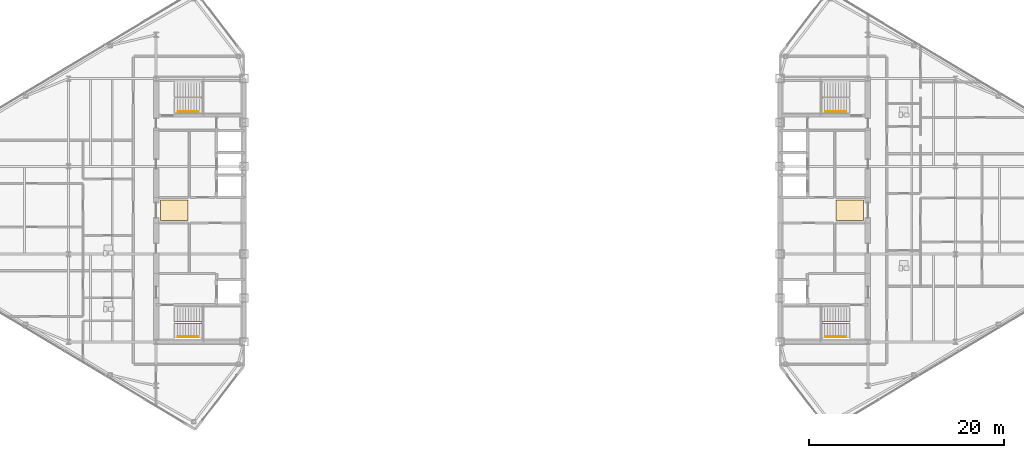
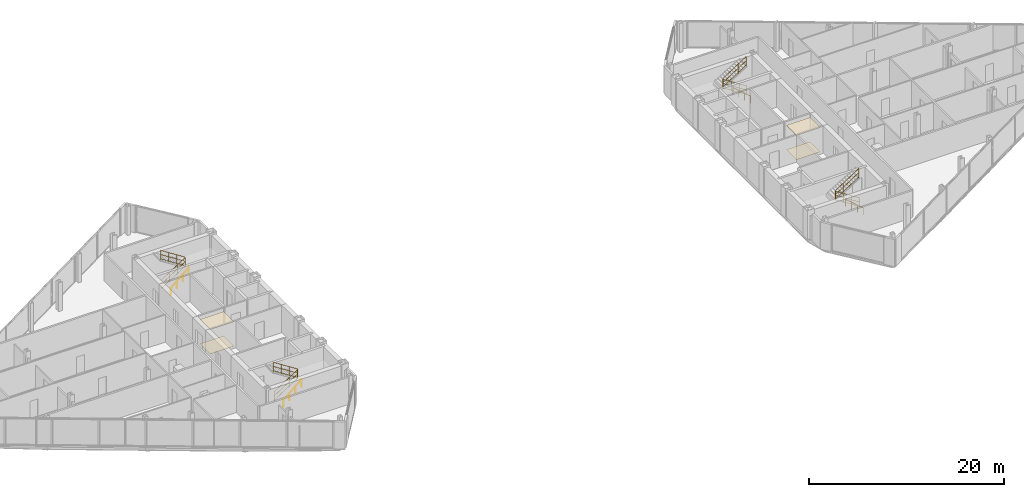
# One storey, part 25 of 26: 8 railings, 4 coverings.
"""IFC4 building model written with IfcOpenShell, lengths in metres."""

import ifcopenshell
import ifcopenshell.guid

model = None  # the IFC model being written
_history = None  # IfcOwnerHistory: only IFC2X3 demands one
_inside = {}  # id of a spatial element -> (the spatial element, [elements in it])
_under = {}  # id of a project, library or spatial element -> (it, [spatial elements below it])
_declared = {}  # id of a project -> (the project, [libraries it declares])
_typed = {}  # id of a type object -> (the type object, [elements of that type])
_made_of = {}  # id of a material, layer set ... -> (it, [elements and type objects made of it])


def new_model(schema):
    """Start an empty IFC model of exactly this schema.

    Asked for "IFC4X3", IfcOpenShell would pick the latest addendum, in which some entities
    have other attributes; the version numbers below select the first issue.
    IFC2X3 requires an IfcOwnerHistory on every rooted entity: one is made here for all.
    """
    global model, _history
    if schema == "IFC4X3":
        model = ifcopenshell.file(schema_version=(4, 3, 0, 0))
    else:
        model = ifcopenshell.file(schema=schema)
    _inside.clear()
    _under.clear()
    _declared.clear()
    _typed.clear()
    _made_of.clear()
    _history = None
    if model.schema == "IFC2X3":
        org = make("IfcOrganization", Name="unknown")
        user = make(
            "IfcPersonAndOrganization",
            ThePerson=make("IfcPerson", FamilyName="unknown"),
            TheOrganization=org,
        )
        app = make(
            "IfcApplication",
            ApplicationDeveloper=org,
            Version="unknown",
            ApplicationFullName="unknown",
            ApplicationIdentifier="unknown",
        )
        _history = make(
            "IfcOwnerHistory",
            OwningUser=user,
            OwningApplication=app,
            ChangeAction="ADDED",
            CreationDate=0,
        )
    return model


def make(cls, **values):
    """One entity of the class cls with the attributes given. An attribute that is None is left unset."""
    return model.create_entity(
        cls, **{name: value for name, value in values.items() if value is not None}
    )


def rooted(cls, **values):
    """An entity with a GlobalId (a new one), such as an element, a storey or a relation."""
    return make(cls, GlobalId=ifcopenshell.guid.new(), OwnerHistory=_history, **values)


def si_unit(unit_type, name, prefix=None):
    """IfcSIUnit, for example si_unit("LENGTHUNIT", "METRE", prefix="MILLI")."""
    return make("IfcSIUnit", UnitType=unit_type, Prefix=prefix, Name=name)


def assignment(units):
    """IfcUnitAssignment: the units of a project."""
    return None if units is None else make("IfcUnitAssignment", Units=units)


def point(xyz):
    """IfcCartesianPoint."""
    return None if xyz is None else make("IfcCartesianPoint", Coordinates=xyz)


def direction(xyz):
    """IfcDirection."""
    return None if xyz is None else make("IfcDirection", DirectionRatios=xyz)


def frame(location, z_axis=None, x_axis=None):
    """IfcAxis2Placement3D, a coordinate frame: its origin and axes. An axis left out is left unset."""
    return make(
        "IfcAxis2Placement3D",
        Location=point(location),
        Axis=direction(z_axis),
        RefDirection=direction(x_axis),
    )


def frame_2d(location, x_axis=None):
    """IfcAxis2Placement2D, a coordinate frame in the plane: its origin and x axis."""
    return make(
        "IfcAxis2Placement2D", Location=point(location), RefDirection=direction(x_axis)
    )


def origin():
    """The frame at (0, 0, 0) with its axes left unset."""
    return frame((0.0, 0.0, 0.0))


def origin_2d():
    """The frame at (0, 0) in the plane with its x axis left unset."""
    return frame_2d((0.0, 0.0))


def place(relative_to, where):
    """IfcLocalPlacement: puts the frame where relative to a parent placement (None: the world)."""
    return make(
        "IfcLocalPlacement", PlacementRelTo=relative_to, RelativePlacement=where
    )


def context(
    kind, dimensions, precision=None, world=None, true_north=None, identifier=None
):
    """IfcGeometricRepresentationContext, for example the 3D "Model" context."""
    return make(
        "IfcGeometricRepresentationContext",
        ContextIdentifier=identifier,
        ContextType=kind,
        CoordinateSpaceDimension=dimensions,
        Precision=precision,
        WorldCoordinateSystem=world,
        TrueNorth=true_north,
    )


def subcontext(parent, identifier, kind, view, scale=None):
    """IfcGeometricRepresentationSubContext, for example "Body" below "Model"."""
    return make(
        "IfcGeometricRepresentationSubContext",
        ContextIdentifier=identifier,
        ContextType=kind,
        ParentContext=parent,
        TargetScale=scale,
        TargetView=view,
    )


def project(units=None, contexts=None):
    """IfcProject with its units and contexts."""
    return rooted(
        "IfcProject",
        Name="project",
        RepresentationContexts=contexts,
        UnitsInContext=assignment(units),
    )


def spatial(cls, under=None, at=None, **own):
    """A site, building, storey or space (cls), placed at a placement, below another one or the project."""
    s = rooted(cls, ObjectPlacement=at, **own)
    if under is not None:
        _under.setdefault(under.id(), (under, []))[1].append(s)
    return s


def polyline(points):
    """IfcPolyline through the points."""
    return make("IfcPolyline", Points=[point(p) for p in points])


def profile(cls, at=None, kind="AREA", **sizes):
    """A parametric profile (cls). Its sizes go by their IFC names, for example OverallWidth=200.0."""
    return make(cls, ProfileType=kind, Position=at, **sizes)


def circle(**sizes):
    """IfcCircleProfileDef."""
    return profile("IfcCircleProfileDef", **sizes)


def outline(outer, holes=None, kind="AREA"):
    """IfcArbitraryClosedProfileDef: a profile drawn as a closed curve; with holes, ...WithVoids."""
    if holes is None:
        return make("IfcArbitraryClosedProfileDef", ProfileType=kind, OuterCurve=outer)
    return make(
        "IfcArbitraryProfileDefWithVoids",
        ProfileType=kind,
        OuterCurve=outer,
        InnerCurves=holes,
    )


def extrude(swept, where, along, depth):
    """IfcExtrudedAreaSolid: the profile swept, set in the frame where, extruded along a direction by depth."""
    return make(
        "IfcExtrudedAreaSolid",
        SweptArea=swept,
        Position=where,
        ExtrudedDirection=direction(along),
        Depth=depth,
    )


def shape(context_of_items, identifier, shape_type, items):
    """IfcShapeRepresentation: the items that make up one representation, for example the "Body"."""
    return make(
        "IfcShapeRepresentation",
        ContextOfItems=context_of_items,
        RepresentationIdentifier=identifier,
        RepresentationType=shape_type,
        Items=items,
    )


def material(Name=None, Category=None):
    """IfcMaterial."""
    return make("IfcMaterial", Name=Name, Category=Category)


def layer(
    of_material, thickness, ventilated=None, Name=None, Category=None, Priority=None
):
    """IfcMaterialLayer: one layer of a wall or slab, of a material (None: an air gap)."""
    return make(
        "IfcMaterialLayer",
        Material=of_material,
        LayerThickness=thickness,
        IsVentilated=ventilated,
        Name=Name,
        Category=Category,
        Priority=Priority,
    )


def layer_set(layers, Name=None):
    """IfcMaterialLayerSet."""
    return make("IfcMaterialLayerSet", MaterialLayers=layers, LayerSetName=Name)


def made_of(thing, what):
    """Note that an element or type object is made of a material, layer set ...; save() writes the relation."""
    if what is not None:
        _made_of.setdefault(what.id(), (what, []))[1].append(thing)
    return thing


def type_object(cls, material=None, **own):
    """A type object (cls), such as IfcWallType, which elements share."""
    return made_of(rooted(cls, **own), material)


def element(
    cls,
    number,
    at=None,
    inside=None,
    cuts=None,
    type_object=None,
    material=None,
    context=None,
    identifier="Body",
    shape_type=None,
    held_by="IfcProductDefinitionShape",
    body=None,
    shapes=None,
    **own,
):
    """One element of the class cls, such as IfcWall. Its Tag is "e" and its number.

    at: its placement. inside: the storey or other place that contains it. cuts: it is an
    opening in that element (IfcRelVoidsElement). A single representation is given by context,
    identifier, shape_type and body (its items); several are given by shapes. held_by: the class
    of the entity that holds the representations. save() writes the other relations.
    """
    e = rooted(cls, Tag="e%d" % number, ObjectPlacement=at, **own)
    if body is not None:
        shapes = [shape(context, identifier, shape_type, body)]
    if shapes is not None:
        e.Representation = make(held_by, Representations=shapes)
    if inside is not None:
        _inside.setdefault(inside.id(), (inside, []))[1].append(e)
    if cuts is not None:
        rooted(
            "IfcRelVoidsElement", RelatingBuildingElement=cuts, RelatedOpeningElement=e
        )
    if type_object is not None:
        _typed.setdefault(type_object.id(), (type_object, []))[1].append(e)
    return made_of(e, material)


def aggregate(whole, parts):
    """IfcRelAggregates: a whole, such as a stair, and the parts it consists of."""
    return rooted("IfcRelAggregates", RelatingObject=whole, RelatedObjects=parts)


def save(model, path):
    """Write the relations noted so far, then the file.

    IfcRelAggregates (storeys below a building ...), IfcRelContainedInSpatialStructure (elements
    in a storey), IfcRelDefinesByType, IfcRelAssociatesMaterial and IfcRelDeclares: one each for
    every whole, place, type object, material and project.
    """
    for whole, parts in _under.values():
        aggregate(whole, parts)
    for where, things in _inside.values():
        rooted(
            "IfcRelContainedInSpatialStructure",
            RelatedElements=things,
            RelatingStructure=where,
        )
    for kind, things in _typed.values():
        rooted("IfcRelDefinesByType", RelatedObjects=things, RelatingType=kind)
    for what, things in _made_of.values():
        rooted("IfcRelAssociatesMaterial", RelatedObjects=things, RelatingMaterial=what)
    for by, libraries in _declared.values():
        rooted("IfcRelDeclares", RelatingContext=by, RelatedDefinitions=libraries)
    model.write(path)


model = new_model("IFC4")

# Units and contexts
model_context = context("Model", 3, precision=1e-05, world=origin(), true_north=direction((0.0, 1.0)))
body_context = subcontext(model_context, "Body", "Model", "MODEL_VIEW")
ifc_project = project(units=[si_unit("LENGTHUNIT", "METRE"), si_unit("AREAUNIT", "SQUARE_METRE"), si_unit("VOLUMEUNIT", "CUBIC_METRE"), si_unit("PLANEANGLEUNIT", "RADIAN"), si_unit("MASSUNIT", "GRAM", prefix="KILO")], contexts=[model_context])

# Site, building, storey
site_placement = place(None, origin())
site = spatial("IfcSite", under=ifc_project, at=site_placement, CompositionType="ELEMENT")
building_placement = place(site_placement, origin())
building = spatial("IfcBuilding", under=site, at=building_placement, Name="Seokmaru Belvedere", CompositionType="ELEMENT")
storey_placement = place(building_placement, frame((0.0, 0.0, 199.5)))
storey = spatial("IfcBuildingStorey", under=building, at=storey_placement, Name="L53", CompositionType="ELEMENT", Elevation=199.5)

# Coverings
ifc_material_1 = material(Name="Engineered White Oak Timber", Category="wood")
ifc_layer_1 = layer(ifc_material_1, 0.02197265625)
ifc_layer_set_1 = layer_set([ifc_layer_1], Name="Engineered White Oak Timber")
covering_type_1 = type_object("IfcCoveringType", Name="Engineered Oak Residence Floor Finish 22", PredefinedType="FLOORING", material=ifc_layer_set_1)
covering_1_placement = place(storey_placement, origin())
element("IfcCovering", 1, at=covering_1_placement, inside=storey, type_object=covering_type_1, Name="L53 W Foyer Floor Finish", PredefinedType="FLOORING", context=body_context, shape_type="SweptSolid", body=[
    extrude(outline(polyline([(-36.050048828125, -1.050048828125), (-33.25, -1.050048828125), (-33.25, 1.050048828125), (-36.050048828125, 1.050048828125), (-36.050048828125, -1.050048828125)])), origin(), (0.0, 0.0, 1.0), 0.02197265625),
])
covering_2_placement = place(storey_placement, origin())
element("IfcCovering", 2, at=covering_2_placement, inside=storey, type_object=covering_type_1, Name="L53 E Foyer Floor Finish", PredefinedType="FLOORING", context=body_context, shape_type="SweptSolid", body=[
    extrude(outline(polyline([(33.25, -1.050048828125), (36.050048828125, -1.050048828125), (36.050048828125, 1.050048828125), (33.25, 1.050048828125), (33.25, -1.050048828125)])), origin(), (0.0, 0.0, 1.0), 0.02197265625),
])
ifc_material_2 = material(Name="Fire-Rated Gypsum Shaftwall")
ifc_layer_2 = layer(ifc_material_2, 0.02490234375)
ifc_layer_set_2 = layer_set([ifc_layer_2], Name="Fire-Rated Gypsum Shaftwall")
covering_type_2 = type_object("IfcCoveringType", Name="Perforated Acoustic Gypsum Suspended Ceiling 25", PredefinedType="CEILING", material=ifc_layer_set_2)
covering_3_placement = place(storey_placement, frame((0.0, 0.0, 3.030029296875)))
element("IfcCovering", 3, at=covering_3_placement, inside=storey, type_object=covering_type_2, Name="L53 W Lift Foyer Acoustic Ceiling", PredefinedType="CEILING", context=body_context, shape_type="SweptSolid", body=[
    extrude(outline(polyline([(-36.050048828125, -1.050048828125), (-33.25, -1.050048828125), (-33.25, 1.050048828125), (-36.050048828125, 1.050048828125), (-36.050048828125, -1.050048828125)])), origin(), (0.0, 0.0, 1.0), 0.02490234375),
])
covering_4_placement = place(storey_placement, frame((0.0, 0.0, 3.030029296875)))
element("IfcCovering", 4, at=covering_4_placement, inside=storey, type_object=covering_type_2, Name="L53 E Lift Foyer Acoustic Ceiling", PredefinedType="CEILING", context=body_context, shape_type="SweptSolid", body=[
    extrude(outline(polyline([(33.25, -1.050048828125), (36.050048828125, -1.050048828125), (36.050048828125, 1.050048828125), (33.25, 1.050048828125), (33.25, -1.050048828125)])), origin(), (0.0, 0.0, 1.0), 0.02490234375),
])

# Railings
ifc_material_3 = material(Name="Stainless Steel 316", Category="steel")
railing_type_1 = type_object("IfcRailingType", Name="Stainless Steel Wall and Flight Handrail 900", PredefinedType="HANDRAIL", material=ifc_material_3)
for number, where, name in (
    (5, (-34.25, -12.949951171875, 0.0), "L53 Stair ST-W1 Wall Handrail"),
    (6, (-34.25, 10.110107421875, 0.0), "L53 Stair ST-W2 Wall Handrail"),
):
    element("IfcRailing", number, at=place(storey_placement, frame(where)), inside=storey, type_object=railing_type_1, Name=name, PredefinedType="HANDRAIL", context=body_context, shape_type="SweptSolid", body=[
        extrude(circle(Radius=0.02392578125, at=origin_2d()), frame((0.0, 0.0, 0.8759765625), z_axis=(0.759262832861, 0.0, 0.650784104474), x_axis=(0.0, 1.0, 0.0)), (0.0, 0.0, 1.0), 2.765869140625),
        extrude(circle(Radius=0.02099609375, at=origin_2d()), origin(), (0.0, 0.0, 1.0), 0.851806640625),
        extrude(circle(Radius=0.02099609375, at=origin_2d()), frame((0.699951171875, 0.0, 0.60009765625)), (0.0, 0.0, 1.0), 0.851806640625),
        extrude(circle(Radius=0.02099609375, at=origin_2d()), frame((1.400146484375, 0.0, 1.199951171875)), (0.0, 0.0, 1.0), 0.851806640625),
        extrude(circle(Radius=0.02099609375, at=origin_2d()), frame((2.10009765625, 0.0, 1.800048828125)), (0.0, 0.0, 1.0), 0.851806640625),
    ])
for number, where, name in (
    (7, (34.25, -12.949951171875, 0.0), "L53 Stair ST-E1 Wall Handrail"),
    (8, (34.25, 10.110107421875, 0.0), "L53 Stair ST-E2 Wall Handrail"),
):
    element("IfcRailing", number, at=place(storey_placement, frame(where)), inside=storey, type_object=railing_type_1, Name=name, PredefinedType="HANDRAIL", context=body_context, shape_type="SweptSolid", body=[
        extrude(circle(Radius=0.02392578125, at=origin_2d()), frame((0.0, 0.0, 0.8759765625), z_axis=(-0.759262832861, 0.0, 0.650784104474), x_axis=(0.0, -1.0, 0.0)), (0.0, 0.0, 1.0), 2.765869140625),
        extrude(circle(Radius=0.02099609375, at=origin_2d()), origin(), (0.0, 0.0, 1.0), 0.851806640625),
        extrude(circle(Radius=0.02099609375, at=origin_2d()), frame((-0.699951171875, 0.0, 0.60009765625)), (0.0, 0.0, 1.0), 0.851806640625),
        extrude(circle(Radius=0.02099609375, at=origin_2d()), frame((-1.400146484375, 0.0, 1.199951171875)), (0.0, 0.0, 1.0), 0.851806640625),
        extrude(circle(Radius=0.02099609375, at=origin_2d()), frame((-2.10009765625, 0.0, 1.800048828125)), (0.0, 0.0, 1.0), 0.851806640625),
    ])
railing_type_2 = type_object("IfcRailingType", Name="Stair Well and Atrium Steel Guardrail 1200", PredefinedType="GUARDRAIL", material=ifc_material_3)
railing_1_placement = place(storey_placement, frame((-34.60009765625, -11.60009765625, 0.0)))
element("IfcRailing", 9, at=railing_1_placement, inside=storey, type_object=railing_type_2, Name="L53 Stair ST-W1 Inner Well Guardrail", PredefinedType="GUARDRAIL", context=body_context, shape_type="SweptSolid", body=[
    extrude(circle(Radius=0.02392578125, at=origin_2d()), frame((0.0, 0.0, 1.17578125), z_axis=(0.841176092368, 0.0, 0.540761298198), x_axis=(0.0, 1.0, 0.0)), (0.0, 0.0, 1.0), 3.32861328125),
    extrude(circle(Radius=0.02392578125, at=origin_2d()), frame((0.0, 0.0, 0.1201171875), z_axis=(0.841176092368, 0.0, 0.540761298198), x_axis=(0.0, 1.0, 0.0)), (0.0, 0.0, 1.0), 3.32861328125),
    extrude(circle(Radius=0.02392578125, at=origin_2d()), frame((0.0, 0.0, 0.659912109375), z_axis=(0.841176092368, 0.0, 0.540761298198), x_axis=(0.0, 1.0, 0.0)), (0.0, 0.0, 1.0), 3.32861328125),
    extrude(circle(Radius=0.02392578125, at=origin_2d()), frame((2.800048828125, 0.0, 2.97607421875), z_axis=(0.0, 1.0, 0.0), x_axis=(-1.0, 0.0, 0.0)), (0.0, 0.0, 1.0), 0.14013671875),
    extrude(circle(Radius=0.02392578125, at=origin_2d()), frame((2.800048828125, 0.0, 1.920166015625), z_axis=(0.0, 1.0, 0.0), x_axis=(-1.0, 0.0, 0.0)), (0.0, 0.0, 1.0), 0.14013671875),
    extrude(circle(Radius=0.02392578125, at=origin_2d()), frame((2.800048828125, 0.0, 2.4599609375), z_axis=(0.0, 1.0, 0.0), x_axis=(-1.0, 0.0, 0.0)), (0.0, 0.0, 1.0), 0.14013671875),
    extrude(circle(Radius=0.02392578125, at=origin_2d()), frame((2.800048828125, 0.14013671875, 2.97607421875), z_axis=(-0.841176092368, 0.0, 0.540761298198), x_axis=(0.0, -1.0, 0.0)), (0.0, 0.0, 1.0), 3.32861328125),
    extrude(circle(Radius=0.02392578125, at=origin_2d()), frame((2.800048828125, 0.14013671875, 1.920166015625), z_axis=(-0.841176092368, 0.0, 0.540761298198), x_axis=(0.0, -1.0, 0.0)), (0.0, 0.0, 1.0), 3.32861328125),
    extrude(circle(Radius=0.02392578125, at=origin_2d()), frame((2.800048828125, 0.14013671875, 2.4599609375), z_axis=(-0.841176092368, 0.0, 0.540761298198), x_axis=(0.0, -1.0, 0.0)), (0.0, 0.0, 1.0), 3.32861328125),
    extrude(circle(Radius=0.02099609375, at=origin_2d()), origin(), (0.0, 0.0, 1.0), 1.15185546875),
    extrude(circle(Radius=0.02099609375, at=origin_2d()), frame((0.933349609375, 0.0, 0.60009765625)), (0.0, 0.0, 1.0), 1.15185546875),
    extrude(circle(Radius=0.02099609375, at=origin_2d()), frame((1.86669921875, 0.0, 1.199951171875)), (0.0, 0.0, 1.0), 1.15185546875),
    extrude(circle(Radius=0.02099609375, at=origin_2d()), frame((2.800048828125, 0.0, 1.800048828125)), (0.0, 0.0, 1.0), 1.15185546875),
    extrude(circle(Radius=0.02099609375, at=origin_2d()), frame((2.800048828125, 0.14013671875, 1.800048828125)), (0.0, 0.0, 1.0), 1.15185546875),
    extrude(circle(Radius=0.02099609375, at=origin_2d()), frame((1.86669921875, 0.14013671875, 2.400146484375)), (0.0, 0.0, 1.0), 1.15185546875),
    extrude(circle(Radius=0.02099609375, at=origin_2d()), frame((0.933349609375, 0.14013671875, 3.0)), (0.0, 0.0, 1.0), 1.15185546875),
    extrude(circle(Radius=0.02099609375, at=origin_2d()), frame((0.0, 0.14013671875, 3.60009765625)), (0.0, 0.0, 1.0), 1.15185546875),
])
railing_2_placement = place(storey_placement, frame((-34.60009765625, 11.4599609375, 0.0)))
element("IfcRailing", 10, at=railing_2_placement, inside=storey, type_object=railing_type_2, Name="L53 Stair ST-W2 Inner Well Guardrail", PredefinedType="GUARDRAIL", context=body_context, shape_type="SweptSolid", body=[
    extrude(circle(Radius=0.02392578125, at=origin_2d()), frame((0.0, 0.0, 1.17578125), z_axis=(0.841176092368, 0.0, 0.540761298198), x_axis=(0.0, 1.0, 0.0)), (0.0, 0.0, 1.0), 3.32861328125),
    extrude(circle(Radius=0.02392578125, at=origin_2d()), frame((0.0, 0.0, 0.1201171875), z_axis=(0.841176092368, 0.0, 0.540761298198), x_axis=(0.0, 1.0, 0.0)), (0.0, 0.0, 1.0), 3.32861328125),
    extrude(circle(Radius=0.02392578125, at=origin_2d()), frame((0.0, 0.0, 0.659912109375), z_axis=(0.841176092368, 0.0, 0.540761298198), x_axis=(0.0, 1.0, 0.0)), (0.0, 0.0, 1.0), 3.32861328125),
    extrude(circle(Radius=0.02392578125, at=origin_2d()), frame((2.800048828125, 0.0, 2.97607421875), z_axis=(0.0, 1.0, 0.0), x_axis=(-1.0, 0.0, 0.0)), (0.0, 0.0, 1.0), 0.14013671875),
    extrude(circle(Radius=0.02392578125, at=origin_2d()), frame((2.800048828125, 0.0, 1.920166015625), z_axis=(0.0, 1.0, 0.0), x_axis=(-1.0, 0.0, 0.0)), (0.0, 0.0, 1.0), 0.14013671875),
    extrude(circle(Radius=0.02392578125, at=origin_2d()), frame((2.800048828125, 0.0, 2.4599609375), z_axis=(0.0, 1.0, 0.0), x_axis=(-1.0, 0.0, 0.0)), (0.0, 0.0, 1.0), 0.14013671875),
    extrude(circle(Radius=0.02392578125, at=origin_2d()), frame((2.800048828125, 0.14013671875, 2.97607421875), z_axis=(-0.841176092368, 0.0, 0.540761298198), x_axis=(0.0, -1.0, 0.0)), (0.0, 0.0, 1.0), 3.32861328125),
    extrude(circle(Radius=0.02392578125, at=origin_2d()), frame((2.800048828125, 0.14013671875, 1.920166015625), z_axis=(-0.841176092368, 0.0, 0.540761298198), x_axis=(0.0, -1.0, 0.0)), (0.0, 0.0, 1.0), 3.32861328125),
    extrude(circle(Radius=0.02392578125, at=origin_2d()), frame((2.800048828125, 0.14013671875, 2.4599609375), z_axis=(-0.841176092368, 0.0, 0.540761298198), x_axis=(0.0, -1.0, 0.0)), (0.0, 0.0, 1.0), 3.32861328125),
    extrude(circle(Radius=0.02099609375, at=origin_2d()), origin(), (0.0, 0.0, 1.0), 1.15185546875),
    extrude(circle(Radius=0.02099609375, at=origin_2d()), frame((0.933349609375, 0.0, 0.60009765625)), (0.0, 0.0, 1.0), 1.15185546875),
    extrude(circle(Radius=0.02099609375, at=origin_2d()), frame((1.86669921875, 0.0, 1.199951171875)), (0.0, 0.0, 1.0), 1.15185546875),
    extrude(circle(Radius=0.02099609375, at=origin_2d()), frame((2.800048828125, 0.0, 1.800048828125)), (0.0, 0.0, 1.0), 1.15185546875),
    extrude(circle(Radius=0.02099609375, at=origin_2d()), frame((2.800048828125, 0.14013671875, 1.800048828125)), (0.0, 0.0, 1.0), 1.15185546875),
    extrude(circle(Radius=0.02099609375, at=origin_2d()), frame((1.86669921875, 0.14013671875, 2.400146484375)), (0.0, 0.0, 1.0), 1.15185546875),
    extrude(circle(Radius=0.02099609375, at=origin_2d()), frame((0.933349609375, 0.14013671875, 3.0)), (0.0, 0.0, 1.0), 1.15185546875),
    extrude(circle(Radius=0.02099609375, at=origin_2d()), frame((0.0, 0.14013671875, 3.60009765625)), (0.0, 0.0, 1.0), 1.15185546875),
])
railing_3_placement = place(storey_placement, frame((34.60009765625, -11.60009765625, 0.0)))
element("IfcRailing", 11, at=railing_3_placement, inside=storey, type_object=railing_type_2, Name="L53 Stair ST-E1 Inner Well Guardrail", PredefinedType="GUARDRAIL", context=body_context, shape_type="SweptSolid", body=[
    extrude(circle(Radius=0.02392578125, at=origin_2d()), frame((0.0, 0.0, 1.17578125), z_axis=(-0.841176092368, 0.0, 0.540761298198), x_axis=(0.0, -1.0, 0.0)), (0.0, 0.0, 1.0), 3.32861328125),
    extrude(circle(Radius=0.02392578125, at=origin_2d()), frame((0.0, 0.0, 0.1201171875), z_axis=(-0.841176092368, 0.0, 0.540761298198), x_axis=(0.0, -1.0, 0.0)), (0.0, 0.0, 1.0), 3.32861328125),
    extrude(circle(Radius=0.02392578125, at=origin_2d()), frame((0.0, 0.0, 0.659912109375), z_axis=(-0.841176092368, 0.0, 0.540761298198), x_axis=(0.0, -1.0, 0.0)), (0.0, 0.0, 1.0), 3.32861328125),
    extrude(circle(Radius=0.02392578125, at=origin_2d()), frame((-2.800048828125, 0.0, 2.97607421875), z_axis=(0.0, 1.0, 0.0), x_axis=(-1.0, 0.0, 0.0)), (0.0, 0.0, 1.0), 0.14013671875),
    extrude(circle(Radius=0.02392578125, at=origin_2d()), frame((-2.800048828125, 0.0, 1.920166015625), z_axis=(0.0, 1.0, 0.0), x_axis=(-1.0, 0.0, 0.0)), (0.0, 0.0, 1.0), 0.14013671875),
    extrude(circle(Radius=0.02392578125, at=origin_2d()), frame((-2.800048828125, 0.0, 2.4599609375), z_axis=(0.0, 1.0, 0.0), x_axis=(-1.0, 0.0, 0.0)), (0.0, 0.0, 1.0), 0.14013671875),
    extrude(circle(Radius=0.02392578125, at=origin_2d()), frame((-2.800048828125, 0.14013671875, 2.97607421875), z_axis=(0.841176092368, 0.0, 0.540761298198), x_axis=(0.0, 1.0, 0.0)), (0.0, 0.0, 1.0), 3.32861328125),
    extrude(circle(Radius=0.02392578125, at=origin_2d()), frame((-2.800048828125, 0.14013671875, 1.920166015625), z_axis=(0.841176092368, 0.0, 0.540761298198), x_axis=(0.0, 1.0, 0.0)), (0.0, 0.0, 1.0), 3.32861328125),
    extrude(circle(Radius=0.02392578125, at=origin_2d()), frame((-2.800048828125, 0.14013671875, 2.4599609375), z_axis=(0.841176092368, 0.0, 0.540761298198), x_axis=(0.0, 1.0, 0.0)), (0.0, 0.0, 1.0), 3.32861328125),
    extrude(circle(Radius=0.02099609375, at=origin_2d()), origin(), (0.0, 0.0, 1.0), 1.15185546875),
    extrude(circle(Radius=0.02099609375, at=origin_2d()), frame((-0.933349609375, 0.0, 0.60009765625)), (0.0, 0.0, 1.0), 1.15185546875),
    extrude(circle(Radius=0.02099609375, at=origin_2d()), frame((-1.86669921875, 0.0, 1.199951171875)), (0.0, 0.0, 1.0), 1.15185546875),
    extrude(circle(Radius=0.02099609375, at=origin_2d()), frame((-2.800048828125, 0.0, 1.800048828125)), (0.0, 0.0, 1.0), 1.15185546875),
    extrude(circle(Radius=0.02099609375, at=origin_2d()), frame((-2.800048828125, 0.14013671875, 1.800048828125)), (0.0, 0.0, 1.0), 1.15185546875),
    extrude(circle(Radius=0.02099609375, at=origin_2d()), frame((-1.86669921875, 0.14013671875, 2.400146484375)), (0.0, 0.0, 1.0), 1.15185546875),
    extrude(circle(Radius=0.02099609375, at=origin_2d()), frame((-0.933349609375, 0.14013671875, 3.0)), (0.0, 0.0, 1.0), 1.15185546875),
    extrude(circle(Radius=0.02099609375, at=origin_2d()), frame((0.0, 0.14013671875, 3.60009765625)), (0.0, 0.0, 1.0), 1.15185546875),
])
railing_4_placement = place(storey_placement, frame((34.60009765625, 11.4599609375, 0.0)))
element("IfcRailing", 12, at=railing_4_placement, inside=storey, type_object=railing_type_2, Name="L53 Stair ST-E2 Inner Well Guardrail", PredefinedType="GUARDRAIL", context=body_context, shape_type="SweptSolid", body=[
    extrude(circle(Radius=0.02392578125, at=origin_2d()), frame((0.0, 0.0, 1.17578125), z_axis=(-0.841176092368, 0.0, 0.540761298198), x_axis=(0.0, -1.0, 0.0)), (0.0, 0.0, 1.0), 3.32861328125),
    extrude(circle(Radius=0.02392578125, at=origin_2d()), frame((0.0, 0.0, 0.1201171875), z_axis=(-0.841176092368, 0.0, 0.540761298198), x_axis=(0.0, -1.0, 0.0)), (0.0, 0.0, 1.0), 3.32861328125),
    extrude(circle(Radius=0.02392578125, at=origin_2d()), frame((0.0, 0.0, 0.659912109375), z_axis=(-0.841176092368, 0.0, 0.540761298198), x_axis=(0.0, -1.0, 0.0)), (0.0, 0.0, 1.0), 3.32861328125),
    extrude(circle(Radius=0.02392578125, at=origin_2d()), frame((-2.800048828125, 0.0, 2.97607421875), z_axis=(0.0, 1.0, 0.0), x_axis=(-1.0, 0.0, 0.0)), (0.0, 0.0, 1.0), 0.14013671875),
    extrude(circle(Radius=0.02392578125, at=origin_2d()), frame((-2.800048828125, 0.0, 1.920166015625), z_axis=(0.0, 1.0, 0.0), x_axis=(-1.0, 0.0, 0.0)), (0.0, 0.0, 1.0), 0.14013671875),
    extrude(circle(Radius=0.02392578125, at=origin_2d()), frame((-2.800048828125, 0.0, 2.4599609375), z_axis=(0.0, 1.0, 0.0), x_axis=(-1.0, 0.0, 0.0)), (0.0, 0.0, 1.0), 0.14013671875),
    extrude(circle(Radius=0.02392578125, at=origin_2d()), frame((-2.800048828125, 0.14013671875, 2.97607421875), z_axis=(0.841176092368, 0.0, 0.540761298198), x_axis=(0.0, 1.0, 0.0)), (0.0, 0.0, 1.0), 3.32861328125),
    extrude(circle(Radius=0.02392578125, at=origin_2d()), frame((-2.800048828125, 0.14013671875, 1.920166015625), z_axis=(0.841176092368, 0.0, 0.540761298198), x_axis=(0.0, 1.0, 0.0)), (0.0, 0.0, 1.0), 3.32861328125),
    extrude(circle(Radius=0.02392578125, at=origin_2d()), frame((-2.800048828125, 0.14013671875, 2.4599609375), z_axis=(0.841176092368, 0.0, 0.540761298198), x_axis=(0.0, 1.0, 0.0)), (0.0, 0.0, 1.0), 3.32861328125),
    extrude(circle(Radius=0.02099609375, at=origin_2d()), origin(), (0.0, 0.0, 1.0), 1.15185546875),
    extrude(circle(Radius=0.02099609375, at=origin_2d()), frame((-0.933349609375, 0.0, 0.60009765625)), (0.0, 0.0, 1.0), 1.15185546875),
    extrude(circle(Radius=0.02099609375, at=origin_2d()), frame((-1.86669921875, 0.0, 1.199951171875)), (0.0, 0.0, 1.0), 1.15185546875),
    extrude(circle(Radius=0.02099609375, at=origin_2d()), frame((-2.800048828125, 0.0, 1.800048828125)), (0.0, 0.0, 1.0), 1.15185546875),
    extrude(circle(Radius=0.02099609375, at=origin_2d()), frame((-2.800048828125, 0.14013671875, 1.800048828125)), (0.0, 0.0, 1.0), 1.15185546875),
    extrude(circle(Radius=0.02099609375, at=origin_2d()), frame((-1.86669921875, 0.14013671875, 2.400146484375)), (0.0, 0.0, 1.0), 1.15185546875),
    extrude(circle(Radius=0.02099609375, at=origin_2d()), frame((-0.933349609375, 0.14013671875, 3.0)), (0.0, 0.0, 1.0), 1.15185546875),
    extrude(circle(Radius=0.02099609375, at=origin_2d()), frame((0.0, 0.14013671875, 3.60009765625)), (0.0, 0.0, 1.0), 1.15185546875),
])

save(model, "model.ifc")
